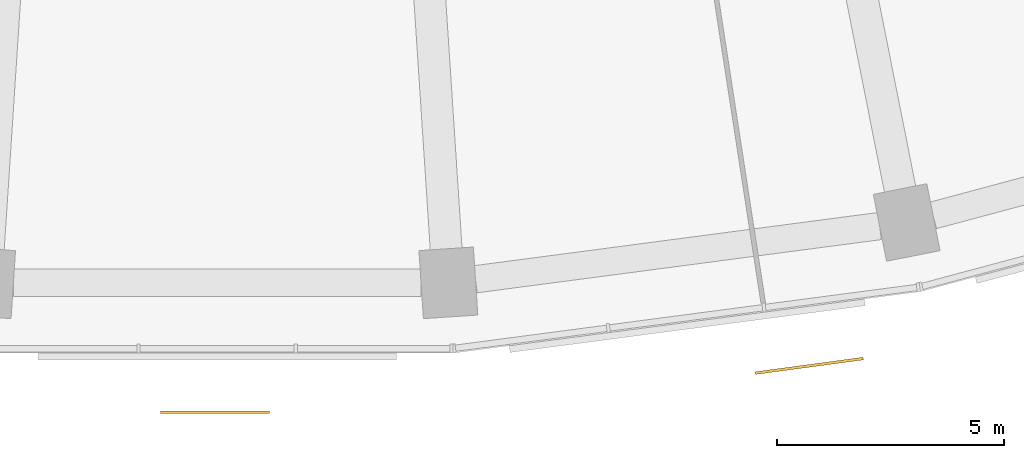
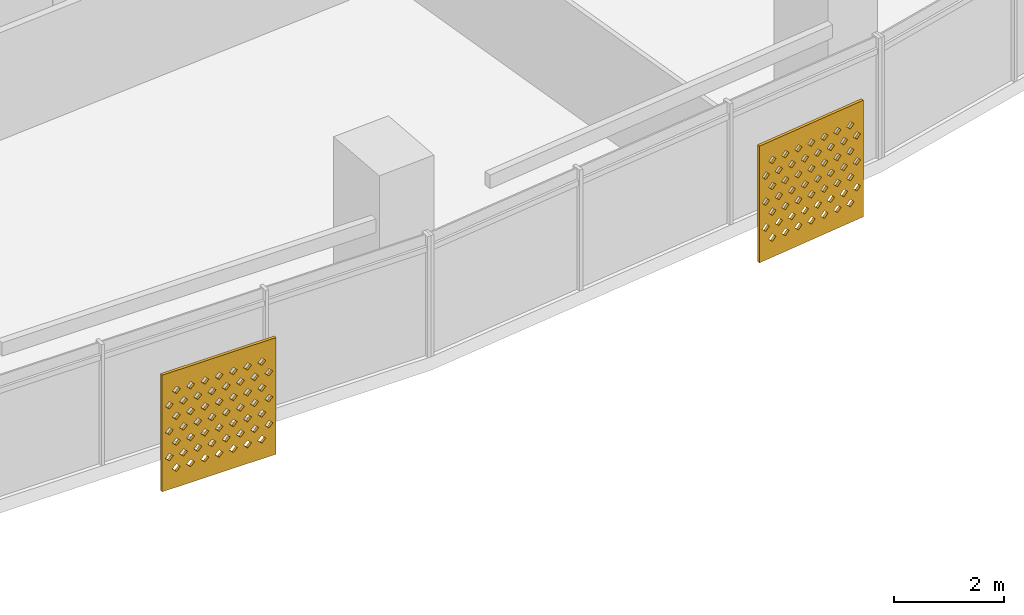
# One storey, part 27 of 29: 2 shading devices.
"""IFC4 building model written with IfcOpenShell, lengths in metres."""

from ifc_helpers import new_model, si_unit, direction, frame, origin, place, context, subcontext, project, spatial, polyline, outline, extrude, material, material_profile, profile_set, type_object, element, save


model = new_model("IFC4")

# Units and contexts
model_context = context("Model", 3, precision=1e-05, world=origin(), true_north=direction((0.0, 1.0)))
body_context = subcontext(model_context, "Body", "Model", "MODEL_VIEW")
ifc_project = project(units=[si_unit("LENGTHUNIT", "METRE"), si_unit("AREAUNIT", "SQUARE_METRE"), si_unit("VOLUMEUNIT", "CUBIC_METRE"), si_unit("PLANEANGLEUNIT", "RADIAN"), si_unit("MASSUNIT", "GRAM", prefix="KILO")], contexts=[model_context])

# Site, building, storey
site_placement = place(None, origin())
site = spatial("IfcSite", under=ifc_project, at=site_placement, CompositionType="ELEMENT")
building_placement = place(site_placement, origin())
building = spatial("IfcBuilding", under=site, at=building_placement, Name="Qamariyya Broadcast Tower", CompositionType="ELEMENT")
storey_placement = place(building_placement, frame((0.0, 0.0, 106.300048828125)))
storey = spatial("IfcBuildingStorey", under=building, at=storey_placement, Name="L23", CompositionType="ELEMENT", Elevation=106.300048828125)

# Shading devices
ifc_material = material(Name="Perforated glazed terracotta", Category="masonry")
ifc_material_profile = material_profile(ifc_material, outline(polyline([(-1.199951171875, -1.300048828125), (1.199951171875, -1.300048828125), (1.199951171875, 1.300048828125), (-1.199951171875, 1.300048828125), (-1.199951171875, -1.300048828125)]), holes=[polyline([(-0.81494140625, -0.86669921875), (-0.89990234375, -0.78173828125), (-0.985107421875, -0.86669921875), (-0.89990234375, -0.95166015625), (-0.81494140625, -0.86669921875)]), polyline([(-0.514892578125, -0.86669921875), (-0.60009765625, -0.78173828125), (-0.68505859375, -0.86669921875), (-0.60009765625, -0.95166015625), (-0.514892578125, -0.86669921875)]), polyline([(-0.215087890625, -0.86669921875), (-0.300048828125, -0.78173828125), (-0.385009765625, -0.86669921875), (-0.300048828125, -0.95166015625), (-0.215087890625, -0.86669921875)]), polyline([(0.0849609375, -0.86669921875), (0.0, -0.78173828125), (-0.0849609375, -0.86669921875), (0.0, -0.95166015625), (0.0849609375, -0.86669921875)]), polyline([(0.385009765625, -0.86669921875), (0.300048828125, -0.78173828125), (0.215087890625, -0.86669921875), (0.300048828125, -0.95166015625), (0.385009765625, -0.86669921875)]), polyline([(0.68505859375, -0.86669921875), (0.60009765625, -0.78173828125), (0.514892578125, -0.86669921875), (0.60009765625, -0.95166015625), (0.68505859375, -0.86669921875)]), polyline([(0.985107421875, -0.86669921875), (0.89990234375, -0.78173828125), (0.81494140625, -0.86669921875), (0.89990234375, -0.95166015625), (0.985107421875, -0.86669921875)]), polyline([(-0.965087890625, -0.577880859375), (-1.050048828125, -0.49267578125), (-1.135009765625, -0.577880859375), (-1.050048828125, -0.662841796875), (-0.965087890625, -0.577880859375)]), polyline([(-0.6650390625, -0.577880859375), (-0.75, -0.49267578125), (-0.8349609375, -0.577880859375), (-0.75, -0.662841796875), (-0.6650390625, -0.577880859375)]), polyline([(-0.364990234375, -0.577880859375), (-0.449951171875, -0.49267578125), (-0.534912109375, -0.577880859375), (-0.449951171875, -0.662841796875), (-0.364990234375, -0.577880859375)]), polyline([(-0.06494140625, -0.577880859375), (-0.14990234375, -0.49267578125), (-0.235107421875, -0.577880859375), (-0.14990234375, -0.662841796875), (-0.06494140625, -0.577880859375)]), polyline([(0.235107421875, -0.577880859375), (0.14990234375, -0.49267578125), (0.06494140625, -0.577880859375), (0.14990234375, -0.662841796875), (0.235107421875, -0.577880859375)]), polyline([(0.534912109375, -0.577880859375), (0.449951171875, -0.49267578125), (0.364990234375, -0.577880859375), (0.449951171875, -0.662841796875), (0.534912109375, -0.577880859375)]), polyline([(0.8349609375, -0.577880859375), (0.75, -0.49267578125), (0.6650390625, -0.577880859375), (0.75, -0.662841796875), (0.8349609375, -0.577880859375)]), polyline([(1.135009765625, -0.577880859375), (1.050048828125, -0.49267578125), (0.965087890625, -0.577880859375), (1.050048828125, -0.662841796875), (1.135009765625, -0.577880859375)]), polyline([(-0.81494140625, -0.288818359375), (-0.89990234375, -0.203857421875), (-0.985107421875, -0.288818359375), (-0.89990234375, -0.373779296875), (-0.81494140625, -0.288818359375)]), polyline([(-0.514892578125, -0.288818359375), (-0.60009765625, -0.203857421875), (-0.68505859375, -0.288818359375), (-0.60009765625, -0.373779296875), (-0.514892578125, -0.288818359375)]), polyline([(-0.215087890625, -0.288818359375), (-0.300048828125, -0.203857421875), (-0.385009765625, -0.288818359375), (-0.300048828125, -0.373779296875), (-0.215087890625, -0.288818359375)]), polyline([(0.0849609375, -0.288818359375), (0.0, -0.203857421875), (-0.0849609375, -0.288818359375), (0.0, -0.373779296875), (0.0849609375, -0.288818359375)]), polyline([(0.385009765625, -0.288818359375), (0.300048828125, -0.203857421875), (0.215087890625, -0.288818359375), (0.300048828125, -0.373779296875), (0.385009765625, -0.288818359375)]), polyline([(0.68505859375, -0.288818359375), (0.60009765625, -0.203857421875), (0.514892578125, -0.288818359375), (0.60009765625, -0.373779296875), (0.68505859375, -0.288818359375)]), polyline([(0.985107421875, -0.288818359375), (0.89990234375, -0.203857421875), (0.81494140625, -0.288818359375), (0.89990234375, -0.373779296875), (0.985107421875, -0.288818359375)]), polyline([(-0.965087890625, 0.0), (-1.050048828125, 0.0849609375), (-1.135009765625, 0.0), (-1.050048828125, -0.0849609375), (-0.965087890625, 0.0)]), polyline([(-0.6650390625, 0.0), (-0.75, 0.0849609375), (-0.8349609375, 0.0), (-0.75, -0.0849609375), (-0.6650390625, 0.0)]), polyline([(-0.364990234375, 0.0), (-0.449951171875, 0.0849609375), (-0.534912109375, 0.0), (-0.449951171875, -0.0849609375), (-0.364990234375, 0.0)]), polyline([(-0.06494140625, 0.0), (-0.14990234375, 0.0849609375), (-0.235107421875, 0.0), (-0.14990234375, -0.0849609375), (-0.06494140625, 0.0)]), polyline([(0.235107421875, 0.0), (0.14990234375, 0.0849609375), (0.06494140625, 0.0), (0.14990234375, -0.0849609375), (0.235107421875, 0.0)]), polyline([(0.534912109375, 0.0), (0.449951171875, 0.0849609375), (0.364990234375, 0.0), (0.449951171875, -0.0849609375), (0.534912109375, 0.0)]), polyline([(0.8349609375, 0.0), (0.75, 0.0849609375), (0.6650390625, 0.0), (0.75, -0.0849609375), (0.8349609375, 0.0)]), polyline([(1.135009765625, 0.0), (1.050048828125, 0.0849609375), (0.965087890625, 0.0), (1.050048828125, -0.0849609375), (1.135009765625, 0.0)]), polyline([(-0.81494140625, 0.288818359375), (-0.89990234375, 0.373779296875), (-0.985107421875, 0.288818359375), (-0.89990234375, 0.203857421875), (-0.81494140625, 0.288818359375)]), polyline([(-0.514892578125, 0.288818359375), (-0.60009765625, 0.373779296875), (-0.68505859375, 0.288818359375), (-0.60009765625, 0.203857421875), (-0.514892578125, 0.288818359375)]), polyline([(-0.215087890625, 0.288818359375), (-0.300048828125, 0.373779296875), (-0.385009765625, 0.288818359375), (-0.300048828125, 0.203857421875), (-0.215087890625, 0.288818359375)]), polyline([(0.0849609375, 0.288818359375), (0.0, 0.373779296875), (-0.0849609375, 0.288818359375), (0.0, 0.203857421875), (0.0849609375, 0.288818359375)]), polyline([(0.385009765625, 0.288818359375), (0.300048828125, 0.373779296875), (0.215087890625, 0.288818359375), (0.300048828125, 0.203857421875), (0.385009765625, 0.288818359375)]), polyline([(0.68505859375, 0.288818359375), (0.60009765625, 0.373779296875), (0.514892578125, 0.288818359375), (0.60009765625, 0.203857421875), (0.68505859375, 0.288818359375)]), polyline([(0.985107421875, 0.288818359375), (0.89990234375, 0.373779296875), (0.81494140625, 0.288818359375), (0.89990234375, 0.203857421875), (0.985107421875, 0.288818359375)]), polyline([(-0.965087890625, 0.577880859375), (-1.050048828125, 0.662841796875), (-1.135009765625, 0.577880859375), (-1.050048828125, 0.49267578125), (-0.965087890625, 0.577880859375)]), polyline([(-0.6650390625, 0.577880859375), (-0.75, 0.662841796875), (-0.8349609375, 0.577880859375), (-0.75, 0.49267578125), (-0.6650390625, 0.577880859375)]), polyline([(-0.364990234375, 0.577880859375), (-0.449951171875, 0.662841796875), (-0.534912109375, 0.577880859375), (-0.449951171875, 0.49267578125), (-0.364990234375, 0.577880859375)]), polyline([(-0.06494140625, 0.577880859375), (-0.14990234375, 0.662841796875), (-0.235107421875, 0.577880859375), (-0.14990234375, 0.49267578125), (-0.06494140625, 0.577880859375)]), polyline([(0.235107421875, 0.577880859375), (0.14990234375, 0.662841796875), (0.06494140625, 0.577880859375), (0.14990234375, 0.49267578125), (0.235107421875, 0.577880859375)]), polyline([(0.534912109375, 0.577880859375), (0.449951171875, 0.662841796875), (0.364990234375, 0.577880859375), (0.449951171875, 0.49267578125), (0.534912109375, 0.577880859375)]), polyline([(0.8349609375, 0.577880859375), (0.75, 0.662841796875), (0.6650390625, 0.577880859375), (0.75, 0.49267578125), (0.8349609375, 0.577880859375)]), polyline([(1.135009765625, 0.577880859375), (1.050048828125, 0.662841796875), (0.965087890625, 0.577880859375), (1.050048828125, 0.49267578125), (1.135009765625, 0.577880859375)]), polyline([(-0.81494140625, 0.86669921875), (-0.89990234375, 0.95166015625), (-0.985107421875, 0.86669921875), (-0.89990234375, 0.78173828125), (-0.81494140625, 0.86669921875)]), polyline([(-0.514892578125, 0.86669921875), (-0.60009765625, 0.95166015625), (-0.68505859375, 0.86669921875), (-0.60009765625, 0.78173828125), (-0.514892578125, 0.86669921875)]), polyline([(-0.215087890625, 0.86669921875), (-0.300048828125, 0.95166015625), (-0.385009765625, 0.86669921875), (-0.300048828125, 0.78173828125), (-0.215087890625, 0.86669921875)]), polyline([(0.0849609375, 0.86669921875), (0.0, 0.95166015625), (-0.0849609375, 0.86669921875), (0.0, 0.78173828125), (0.0849609375, 0.86669921875)]), polyline([(0.385009765625, 0.86669921875), (0.300048828125, 0.95166015625), (0.215087890625, 0.86669921875), (0.300048828125, 0.78173828125), (0.385009765625, 0.86669921875)]), polyline([(0.68505859375, 0.86669921875), (0.60009765625, 0.95166015625), (0.514892578125, 0.86669921875), (0.60009765625, 0.78173828125), (0.68505859375, 0.86669921875)]), polyline([(0.985107421875, 0.86669921875), (0.89990234375, 0.95166015625), (0.81494140625, 0.86669921875), (0.89990234375, 0.78173828125), (0.985107421875, 0.86669921875)])]))
ifc_profile_set = profile_set([ifc_material_profile], Name="Perforated glazed terracotta")
shading_device_type = type_object("IfcShadingDeviceType", Name="Perforated terracotta screen 2400 x 2600", PredefinedType="USERDEFINED", material=ifc_profile_set)
shading_device_1_placement = place(storey_placement, frame((-0.046630859375, -80.400146484375, 1.349853515625), z_axis=(0.0, -1.0, 0.0), x_axis=(1.0, 0.0, 0.0)))
element("IfcShadingDevice", 1, at=shading_device_1_placement, inside=storey, type_object=shading_device_type, Name="e-scr-L23-09-1", ObjectType="SCREEN", PredefinedType="USERDEFINED", context=body_context, shape_type="SweptSolid", body=[
    extrude(outline(polyline([(-1.199951171875, -1.300048828125), (1.199951171875, -1.300048828125), (1.199951171875, 1.300048828125), (-1.199951171875, 1.300048828125), (-1.199951171875, -1.300048828125)]), holes=[polyline([(-0.81494140625, -0.86669921875), (-0.89990234375, -0.78173828125), (-0.985107421875, -0.86669921875), (-0.89990234375, -0.95166015625), (-0.81494140625, -0.86669921875)]), polyline([(-0.514892578125, -0.86669921875), (-0.60009765625, -0.78173828125), (-0.68505859375, -0.86669921875), (-0.60009765625, -0.95166015625), (-0.514892578125, -0.86669921875)]), polyline([(-0.215087890625, -0.86669921875), (-0.300048828125, -0.78173828125), (-0.385009765625, -0.86669921875), (-0.300048828125, -0.95166015625), (-0.215087890625, -0.86669921875)]), polyline([(0.0849609375, -0.86669921875), (0.0, -0.78173828125), (-0.0849609375, -0.86669921875), (0.0, -0.95166015625), (0.0849609375, -0.86669921875)]), polyline([(0.385009765625, -0.86669921875), (0.300048828125, -0.78173828125), (0.215087890625, -0.86669921875), (0.300048828125, -0.95166015625), (0.385009765625, -0.86669921875)]), polyline([(0.68505859375, -0.86669921875), (0.60009765625, -0.78173828125), (0.514892578125, -0.86669921875), (0.60009765625, -0.95166015625), (0.68505859375, -0.86669921875)]), polyline([(0.985107421875, -0.86669921875), (0.89990234375, -0.78173828125), (0.81494140625, -0.86669921875), (0.89990234375, -0.95166015625), (0.985107421875, -0.86669921875)]), polyline([(-0.965087890625, -0.577880859375), (-1.050048828125, -0.49267578125), (-1.135009765625, -0.577880859375), (-1.050048828125, -0.662841796875), (-0.965087890625, -0.577880859375)]), polyline([(-0.6650390625, -0.577880859375), (-0.75, -0.49267578125), (-0.8349609375, -0.577880859375), (-0.75, -0.662841796875), (-0.6650390625, -0.577880859375)]), polyline([(-0.364990234375, -0.577880859375), (-0.449951171875, -0.49267578125), (-0.534912109375, -0.577880859375), (-0.449951171875, -0.662841796875), (-0.364990234375, -0.577880859375)]), polyline([(-0.06494140625, -0.577880859375), (-0.14990234375, -0.49267578125), (-0.235107421875, -0.577880859375), (-0.14990234375, -0.662841796875), (-0.06494140625, -0.577880859375)]), polyline([(0.235107421875, -0.577880859375), (0.14990234375, -0.49267578125), (0.06494140625, -0.577880859375), (0.14990234375, -0.662841796875), (0.235107421875, -0.577880859375)]), polyline([(0.534912109375, -0.577880859375), (0.449951171875, -0.49267578125), (0.364990234375, -0.577880859375), (0.449951171875, -0.662841796875), (0.534912109375, -0.577880859375)]), polyline([(0.8349609375, -0.577880859375), (0.75, -0.49267578125), (0.6650390625, -0.577880859375), (0.75, -0.662841796875), (0.8349609375, -0.577880859375)]), polyline([(1.135009765625, -0.577880859375), (1.050048828125, -0.49267578125), (0.965087890625, -0.577880859375), (1.050048828125, -0.662841796875), (1.135009765625, -0.577880859375)]), polyline([(-0.81494140625, -0.288818359375), (-0.89990234375, -0.203857421875), (-0.985107421875, -0.288818359375), (-0.89990234375, -0.373779296875), (-0.81494140625, -0.288818359375)]), polyline([(-0.514892578125, -0.288818359375), (-0.60009765625, -0.203857421875), (-0.68505859375, -0.288818359375), (-0.60009765625, -0.373779296875), (-0.514892578125, -0.288818359375)]), polyline([(-0.215087890625, -0.288818359375), (-0.300048828125, -0.203857421875), (-0.385009765625, -0.288818359375), (-0.300048828125, -0.373779296875), (-0.215087890625, -0.288818359375)]), polyline([(0.0849609375, -0.288818359375), (0.0, -0.203857421875), (-0.0849609375, -0.288818359375), (0.0, -0.373779296875), (0.0849609375, -0.288818359375)]), polyline([(0.385009765625, -0.288818359375), (0.300048828125, -0.203857421875), (0.215087890625, -0.288818359375), (0.300048828125, -0.373779296875), (0.385009765625, -0.288818359375)]), polyline([(0.68505859375, -0.288818359375), (0.60009765625, -0.203857421875), (0.514892578125, -0.288818359375), (0.60009765625, -0.373779296875), (0.68505859375, -0.288818359375)]), polyline([(0.985107421875, -0.288818359375), (0.89990234375, -0.203857421875), (0.81494140625, -0.288818359375), (0.89990234375, -0.373779296875), (0.985107421875, -0.288818359375)]), polyline([(-0.965087890625, 0.0), (-1.050048828125, 0.0849609375), (-1.135009765625, 0.0), (-1.050048828125, -0.0849609375), (-0.965087890625, 0.0)]), polyline([(-0.6650390625, 0.0), (-0.75, 0.0849609375), (-0.8349609375, 0.0), (-0.75, -0.0849609375), (-0.6650390625, 0.0)]), polyline([(-0.364990234375, 0.0), (-0.449951171875, 0.0849609375), (-0.534912109375, 0.0), (-0.449951171875, -0.0849609375), (-0.364990234375, 0.0)]), polyline([(-0.06494140625, 0.0), (-0.14990234375, 0.0849609375), (-0.235107421875, 0.0), (-0.14990234375, -0.0849609375), (-0.06494140625, 0.0)]), polyline([(0.235107421875, 0.0), (0.14990234375, 0.0849609375), (0.06494140625, 0.0), (0.14990234375, -0.0849609375), (0.235107421875, 0.0)]), polyline([(0.534912109375, 0.0), (0.449951171875, 0.0849609375), (0.364990234375, 0.0), (0.449951171875, -0.0849609375), (0.534912109375, 0.0)]), polyline([(0.8349609375, 0.0), (0.75, 0.0849609375), (0.6650390625, 0.0), (0.75, -0.0849609375), (0.8349609375, 0.0)]), polyline([(1.135009765625, 0.0), (1.050048828125, 0.0849609375), (0.965087890625, 0.0), (1.050048828125, -0.0849609375), (1.135009765625, 0.0)]), polyline([(-0.81494140625, 0.288818359375), (-0.89990234375, 0.373779296875), (-0.985107421875, 0.288818359375), (-0.89990234375, 0.203857421875), (-0.81494140625, 0.288818359375)]), polyline([(-0.514892578125, 0.288818359375), (-0.60009765625, 0.373779296875), (-0.68505859375, 0.288818359375), (-0.60009765625, 0.203857421875), (-0.514892578125, 0.288818359375)]), polyline([(-0.215087890625, 0.288818359375), (-0.300048828125, 0.373779296875), (-0.385009765625, 0.288818359375), (-0.300048828125, 0.203857421875), (-0.215087890625, 0.288818359375)]), polyline([(0.0849609375, 0.288818359375), (0.0, 0.373779296875), (-0.0849609375, 0.288818359375), (0.0, 0.203857421875), (0.0849609375, 0.288818359375)]), polyline([(0.385009765625, 0.288818359375), (0.300048828125, 0.373779296875), (0.215087890625, 0.288818359375), (0.300048828125, 0.203857421875), (0.385009765625, 0.288818359375)]), polyline([(0.68505859375, 0.288818359375), (0.60009765625, 0.373779296875), (0.514892578125, 0.288818359375), (0.60009765625, 0.203857421875), (0.68505859375, 0.288818359375)]), polyline([(0.985107421875, 0.288818359375), (0.89990234375, 0.373779296875), (0.81494140625, 0.288818359375), (0.89990234375, 0.203857421875), (0.985107421875, 0.288818359375)]), polyline([(-0.965087890625, 0.577880859375), (-1.050048828125, 0.662841796875), (-1.135009765625, 0.577880859375), (-1.050048828125, 0.49267578125), (-0.965087890625, 0.577880859375)]), polyline([(-0.6650390625, 0.577880859375), (-0.75, 0.662841796875), (-0.8349609375, 0.577880859375), (-0.75, 0.49267578125), (-0.6650390625, 0.577880859375)]), polyline([(-0.364990234375, 0.577880859375), (-0.449951171875, 0.662841796875), (-0.534912109375, 0.577880859375), (-0.449951171875, 0.49267578125), (-0.364990234375, 0.577880859375)]), polyline([(-0.06494140625, 0.577880859375), (-0.14990234375, 0.662841796875), (-0.235107421875, 0.577880859375), (-0.14990234375, 0.49267578125), (-0.06494140625, 0.577880859375)]), polyline([(0.235107421875, 0.577880859375), (0.14990234375, 0.662841796875), (0.06494140625, 0.577880859375), (0.14990234375, 0.49267578125), (0.235107421875, 0.577880859375)]), polyline([(0.534912109375, 0.577880859375), (0.449951171875, 0.662841796875), (0.364990234375, 0.577880859375), (0.449951171875, 0.49267578125), (0.534912109375, 0.577880859375)]), polyline([(0.8349609375, 0.577880859375), (0.75, 0.662841796875), (0.6650390625, 0.577880859375), (0.75, 0.49267578125), (0.8349609375, 0.577880859375)]), polyline([(1.135009765625, 0.577880859375), (1.050048828125, 0.662841796875), (0.965087890625, 0.577880859375), (1.050048828125, 0.49267578125), (1.135009765625, 0.577880859375)]), polyline([(-0.81494140625, 0.86669921875), (-0.89990234375, 0.95166015625), (-0.985107421875, 0.86669921875), (-0.89990234375, 0.78173828125), (-0.81494140625, 0.86669921875)]), polyline([(-0.514892578125, 0.86669921875), (-0.60009765625, 0.95166015625), (-0.68505859375, 0.86669921875), (-0.60009765625, 0.78173828125), (-0.514892578125, 0.86669921875)]), polyline([(-0.215087890625, 0.86669921875), (-0.300048828125, 0.95166015625), (-0.385009765625, 0.86669921875), (-0.300048828125, 0.78173828125), (-0.215087890625, 0.86669921875)]), polyline([(0.0849609375, 0.86669921875), (0.0, 0.95166015625), (-0.0849609375, 0.86669921875), (0.0, 0.78173828125), (0.0849609375, 0.86669921875)]), polyline([(0.385009765625, 0.86669921875), (0.300048828125, 0.95166015625), (0.215087890625, 0.86669921875), (0.300048828125, 0.78173828125), (0.385009765625, 0.86669921875)]), polyline([(0.68505859375, 0.86669921875), (0.60009765625, 0.95166015625), (0.514892578125, 0.86669921875), (0.60009765625, 0.78173828125), (0.68505859375, 0.86669921875)]), polyline([(0.985107421875, 0.86669921875), (0.89990234375, 0.95166015625), (0.81494140625, 0.86669921875), (0.89990234375, 0.78173828125), (0.985107421875, 0.86669921875)])]), origin(), (0.0, 0.0, 1.0), 0.06005859375),
])
shading_device_2_placement = place(storey_placement, frame((13.01904296875, -79.3798828125, 1.349853515625), z_axis=(0.134025693798, -0.99097785717, 0.0), x_axis=(0.99097785717, 0.134025693798, 0.0)))
element("IfcShadingDevice", 2, at=shading_device_2_placement, inside=storey, type_object=shading_device_type, Name="e-scr-L23-10-2", ObjectType="SCREEN", PredefinedType="USERDEFINED", context=body_context, shape_type="SweptSolid", body=[
    extrude(outline(polyline([(-1.199951171875, -1.300048828125), (1.199951171875, -1.300048828125), (1.199951171875, 1.300048828125), (-1.199951171875, 1.300048828125), (-1.199951171875, -1.300048828125)]), holes=[polyline([(-0.81494140625, -0.86669921875), (-0.89990234375, -0.78173828125), (-0.985107421875, -0.86669921875), (-0.89990234375, -0.95166015625), (-0.81494140625, -0.86669921875)]), polyline([(-0.514892578125, -0.86669921875), (-0.60009765625, -0.78173828125), (-0.68505859375, -0.86669921875), (-0.60009765625, -0.95166015625), (-0.514892578125, -0.86669921875)]), polyline([(-0.215087890625, -0.86669921875), (-0.300048828125, -0.78173828125), (-0.385009765625, -0.86669921875), (-0.300048828125, -0.95166015625), (-0.215087890625, -0.86669921875)]), polyline([(0.0849609375, -0.86669921875), (0.0, -0.78173828125), (-0.0849609375, -0.86669921875), (0.0, -0.95166015625), (0.0849609375, -0.86669921875)]), polyline([(0.385009765625, -0.86669921875), (0.300048828125, -0.78173828125), (0.215087890625, -0.86669921875), (0.300048828125, -0.95166015625), (0.385009765625, -0.86669921875)]), polyline([(0.68505859375, -0.86669921875), (0.60009765625, -0.78173828125), (0.514892578125, -0.86669921875), (0.60009765625, -0.95166015625), (0.68505859375, -0.86669921875)]), polyline([(0.985107421875, -0.86669921875), (0.89990234375, -0.78173828125), (0.81494140625, -0.86669921875), (0.89990234375, -0.95166015625), (0.985107421875, -0.86669921875)]), polyline([(-0.965087890625, -0.577880859375), (-1.050048828125, -0.49267578125), (-1.135009765625, -0.577880859375), (-1.050048828125, -0.662841796875), (-0.965087890625, -0.577880859375)]), polyline([(-0.6650390625, -0.577880859375), (-0.75, -0.49267578125), (-0.8349609375, -0.577880859375), (-0.75, -0.662841796875), (-0.6650390625, -0.577880859375)]), polyline([(-0.364990234375, -0.577880859375), (-0.449951171875, -0.49267578125), (-0.534912109375, -0.577880859375), (-0.449951171875, -0.662841796875), (-0.364990234375, -0.577880859375)]), polyline([(-0.06494140625, -0.577880859375), (-0.14990234375, -0.49267578125), (-0.235107421875, -0.577880859375), (-0.14990234375, -0.662841796875), (-0.06494140625, -0.577880859375)]), polyline([(0.235107421875, -0.577880859375), (0.14990234375, -0.49267578125), (0.06494140625, -0.577880859375), (0.14990234375, -0.662841796875), (0.235107421875, -0.577880859375)]), polyline([(0.534912109375, -0.577880859375), (0.449951171875, -0.49267578125), (0.364990234375, -0.577880859375), (0.449951171875, -0.662841796875), (0.534912109375, -0.577880859375)]), polyline([(0.8349609375, -0.577880859375), (0.75, -0.49267578125), (0.6650390625, -0.577880859375), (0.75, -0.662841796875), (0.8349609375, -0.577880859375)]), polyline([(1.135009765625, -0.577880859375), (1.050048828125, -0.49267578125), (0.965087890625, -0.577880859375), (1.050048828125, -0.662841796875), (1.135009765625, -0.577880859375)]), polyline([(-0.81494140625, -0.288818359375), (-0.89990234375, -0.203857421875), (-0.985107421875, -0.288818359375), (-0.89990234375, -0.373779296875), (-0.81494140625, -0.288818359375)]), polyline([(-0.514892578125, -0.288818359375), (-0.60009765625, -0.203857421875), (-0.68505859375, -0.288818359375), (-0.60009765625, -0.373779296875), (-0.514892578125, -0.288818359375)]), polyline([(-0.215087890625, -0.288818359375), (-0.300048828125, -0.203857421875), (-0.385009765625, -0.288818359375), (-0.300048828125, -0.373779296875), (-0.215087890625, -0.288818359375)]), polyline([(0.0849609375, -0.288818359375), (0.0, -0.203857421875), (-0.0849609375, -0.288818359375), (0.0, -0.373779296875), (0.0849609375, -0.288818359375)]), polyline([(0.385009765625, -0.288818359375), (0.300048828125, -0.203857421875), (0.215087890625, -0.288818359375), (0.300048828125, -0.373779296875), (0.385009765625, -0.288818359375)]), polyline([(0.68505859375, -0.288818359375), (0.60009765625, -0.203857421875), (0.514892578125, -0.288818359375), (0.60009765625, -0.373779296875), (0.68505859375, -0.288818359375)]), polyline([(0.985107421875, -0.288818359375), (0.89990234375, -0.203857421875), (0.81494140625, -0.288818359375), (0.89990234375, -0.373779296875), (0.985107421875, -0.288818359375)]), polyline([(-0.965087890625, 0.0), (-1.050048828125, 0.0849609375), (-1.135009765625, 0.0), (-1.050048828125, -0.0849609375), (-0.965087890625, 0.0)]), polyline([(-0.6650390625, 0.0), (-0.75, 0.0849609375), (-0.8349609375, 0.0), (-0.75, -0.0849609375), (-0.6650390625, 0.0)]), polyline([(-0.364990234375, 0.0), (-0.449951171875, 0.0849609375), (-0.534912109375, 0.0), (-0.449951171875, -0.0849609375), (-0.364990234375, 0.0)]), polyline([(-0.06494140625, 0.0), (-0.14990234375, 0.0849609375), (-0.235107421875, 0.0), (-0.14990234375, -0.0849609375), (-0.06494140625, 0.0)]), polyline([(0.235107421875, 0.0), (0.14990234375, 0.0849609375), (0.06494140625, 0.0), (0.14990234375, -0.0849609375), (0.235107421875, 0.0)]), polyline([(0.534912109375, 0.0), (0.449951171875, 0.0849609375), (0.364990234375, 0.0), (0.449951171875, -0.0849609375), (0.534912109375, 0.0)]), polyline([(0.8349609375, 0.0), (0.75, 0.0849609375), (0.6650390625, 0.0), (0.75, -0.0849609375), (0.8349609375, 0.0)]), polyline([(1.135009765625, 0.0), (1.050048828125, 0.0849609375), (0.965087890625, 0.0), (1.050048828125, -0.0849609375), (1.135009765625, 0.0)]), polyline([(-0.81494140625, 0.288818359375), (-0.89990234375, 0.373779296875), (-0.985107421875, 0.288818359375), (-0.89990234375, 0.203857421875), (-0.81494140625, 0.288818359375)]), polyline([(-0.514892578125, 0.288818359375), (-0.60009765625, 0.373779296875), (-0.68505859375, 0.288818359375), (-0.60009765625, 0.203857421875), (-0.514892578125, 0.288818359375)]), polyline([(-0.215087890625, 0.288818359375), (-0.300048828125, 0.373779296875), (-0.385009765625, 0.288818359375), (-0.300048828125, 0.203857421875), (-0.215087890625, 0.288818359375)]), polyline([(0.0849609375, 0.288818359375), (0.0, 0.373779296875), (-0.0849609375, 0.288818359375), (0.0, 0.203857421875), (0.0849609375, 0.288818359375)]), polyline([(0.385009765625, 0.288818359375), (0.300048828125, 0.373779296875), (0.215087890625, 0.288818359375), (0.300048828125, 0.203857421875), (0.385009765625, 0.288818359375)]), polyline([(0.68505859375, 0.288818359375), (0.60009765625, 0.373779296875), (0.514892578125, 0.288818359375), (0.60009765625, 0.203857421875), (0.68505859375, 0.288818359375)]), polyline([(0.985107421875, 0.288818359375), (0.89990234375, 0.373779296875), (0.81494140625, 0.288818359375), (0.89990234375, 0.203857421875), (0.985107421875, 0.288818359375)]), polyline([(-0.965087890625, 0.577880859375), (-1.050048828125, 0.662841796875), (-1.135009765625, 0.577880859375), (-1.050048828125, 0.49267578125), (-0.965087890625, 0.577880859375)]), polyline([(-0.6650390625, 0.577880859375), (-0.75, 0.662841796875), (-0.8349609375, 0.577880859375), (-0.75, 0.49267578125), (-0.6650390625, 0.577880859375)]), polyline([(-0.364990234375, 0.577880859375), (-0.449951171875, 0.662841796875), (-0.534912109375, 0.577880859375), (-0.449951171875, 0.49267578125), (-0.364990234375, 0.577880859375)]), polyline([(-0.06494140625, 0.577880859375), (-0.14990234375, 0.662841796875), (-0.235107421875, 0.577880859375), (-0.14990234375, 0.49267578125), (-0.06494140625, 0.577880859375)]), polyline([(0.235107421875, 0.577880859375), (0.14990234375, 0.662841796875), (0.06494140625, 0.577880859375), (0.14990234375, 0.49267578125), (0.235107421875, 0.577880859375)]), polyline([(0.534912109375, 0.577880859375), (0.449951171875, 0.662841796875), (0.364990234375, 0.577880859375), (0.449951171875, 0.49267578125), (0.534912109375, 0.577880859375)]), polyline([(0.8349609375, 0.577880859375), (0.75, 0.662841796875), (0.6650390625, 0.577880859375), (0.75, 0.49267578125), (0.8349609375, 0.577880859375)]), polyline([(1.135009765625, 0.577880859375), (1.050048828125, 0.662841796875), (0.965087890625, 0.577880859375), (1.050048828125, 0.49267578125), (1.135009765625, 0.577880859375)]), polyline([(-0.81494140625, 0.86669921875), (-0.89990234375, 0.95166015625), (-0.985107421875, 0.86669921875), (-0.89990234375, 0.78173828125), (-0.81494140625, 0.86669921875)]), polyline([(-0.514892578125, 0.86669921875), (-0.60009765625, 0.95166015625), (-0.68505859375, 0.86669921875), (-0.60009765625, 0.78173828125), (-0.514892578125, 0.86669921875)]), polyline([(-0.215087890625, 0.86669921875), (-0.300048828125, 0.95166015625), (-0.385009765625, 0.86669921875), (-0.300048828125, 0.78173828125), (-0.215087890625, 0.86669921875)]), polyline([(0.0849609375, 0.86669921875), (0.0, 0.95166015625), (-0.0849609375, 0.86669921875), (0.0, 0.78173828125), (0.0849609375, 0.86669921875)]), polyline([(0.385009765625, 0.86669921875), (0.300048828125, 0.95166015625), (0.215087890625, 0.86669921875), (0.300048828125, 0.78173828125), (0.385009765625, 0.86669921875)]), polyline([(0.68505859375, 0.86669921875), (0.60009765625, 0.95166015625), (0.514892578125, 0.86669921875), (0.60009765625, 0.78173828125), (0.68505859375, 0.86669921875)]), polyline([(0.985107421875, 0.86669921875), (0.89990234375, 0.95166015625), (0.81494140625, 0.86669921875), (0.89990234375, 0.78173828125), (0.985107421875, 0.86669921875)])]), origin(), (0.0, 0.0, 1.0), 0.06005859375),
])

save(model, "model.ifc")
